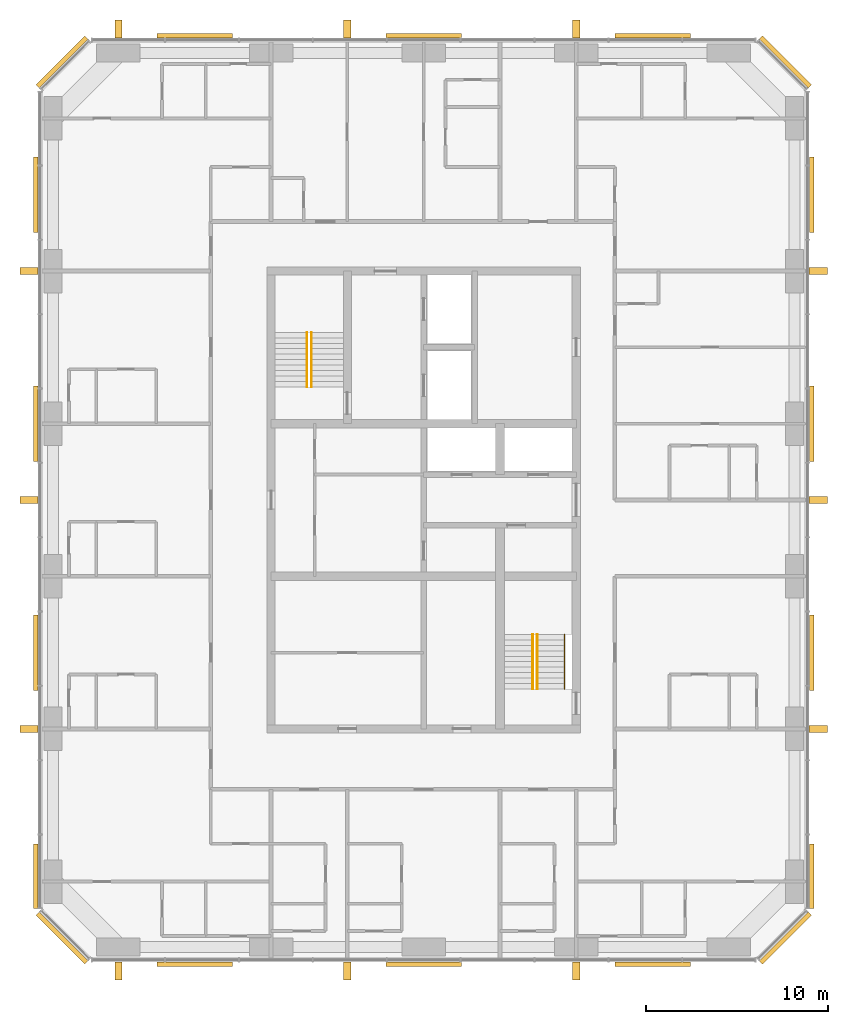
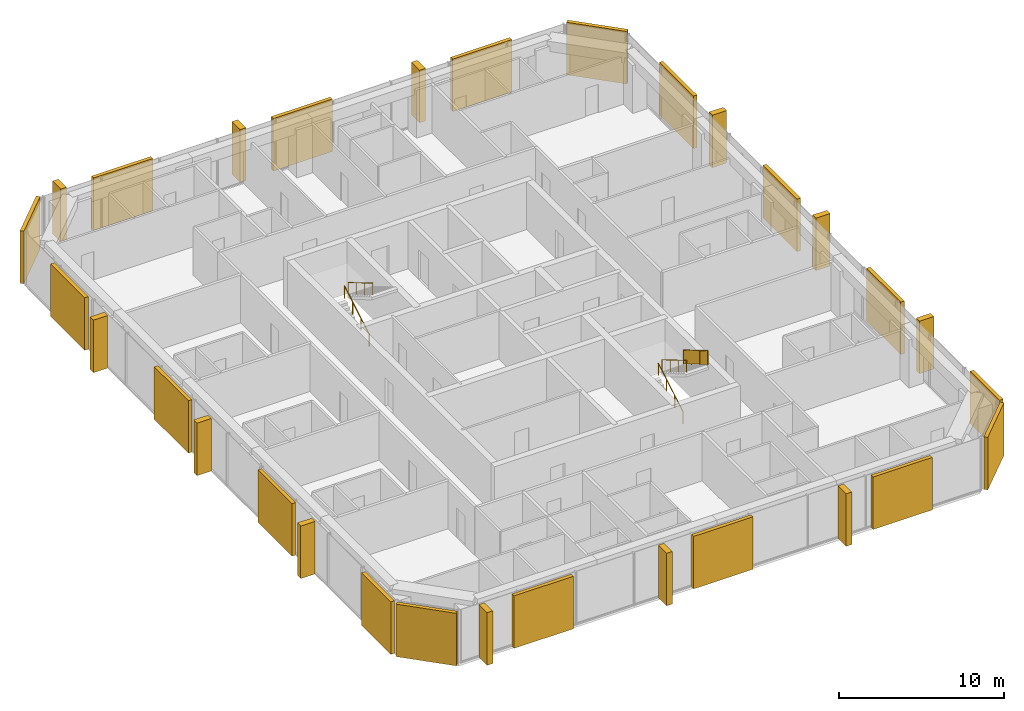
# One storey, part 12 of 12: 18 coverings, 12 shading devices, 5 railings.
"""IFC4 building model written with IfcOpenShell, lengths in metres."""

from ifc_helpers import new_model, si_unit, direction, frame, origin, origin_2d, place, context, subcontext, project, spatial, polyline, rectangle, circle, outline, extrude, material, layer, layer_set, type_object, element, save


model = new_model("IFC4")

# Units and contexts
model_context = context("Model", 3, precision=1e-05, world=origin(), true_north=direction((0.0, 1.0)))
body_context = subcontext(model_context, "Body", "Model", "MODEL_VIEW")
ifc_project = project(units=[si_unit("LENGTHUNIT", "METRE"), si_unit("AREAUNIT", "SQUARE_METRE"), si_unit("VOLUMEUNIT", "CUBIC_METRE"), si_unit("PLANEANGLEUNIT", "RADIAN"), si_unit("MASSUNIT", "GRAM", prefix="KILO")], contexts=[model_context])

# Site, building, storey
site_placement = place(None, origin())
site = spatial("IfcSite", under=ifc_project, at=site_placement, CompositionType="ELEMENT")
building_placement = place(site_placement, origin())
building = spatial("IfcBuilding", under=site, at=building_placement, Name="Dunama Terrace Hotel", CompositionType="ELEMENT")
storey_placement = place(building_placement, frame((0.0, 0.0, 245.10009765625)))
storey = spatial("IfcBuildingStorey", under=building, at=storey_placement, Name="L63", CompositionType="ELEMENT", Elevation=245.10009765625)

# Railings
ifc_material_1 = material(Name="Stainless steel and laminated glass guard", Category="steel")
railing_type_1 = type_object("IfcRailingType", Name="Guard 1100", PredefinedType="GUARDRAIL", material=ifc_material_1)
railing_1_placement = place(storey_placement, frame((41.35009765625, 22.0, 2.127197265625)))
element("IfcRailing", 1, at=railing_1_placement, inside=storey, type_object=railing_type_1, Name="Stair guard ST2 L63", PredefinedType="GUARDRAIL", context=body_context, shape_type="SweptSolid", body=[
    extrude(circle(Radius=0.02392578125, at=origin_2d()), frame((0.0, 0.0, 1.076171875), z_axis=(0.0, -0.86092931783, 0.508724591208), x_axis=(1.0, 0.0, 0.0)), (0.0, 0.0, 1.0), 3.484619140625),
    extrude(circle(Radius=0.02099609375, at=origin_2d()), origin(), (0.0, 0.0, 1.0), 1.052001953125),
    extrude(circle(Radius=0.02099609375, at=origin_2d()), frame((0.0, -1.0, 0.5908203125)), (0.0, 0.0, 1.0), 1.052001953125),
    extrude(circle(Radius=0.02099609375, at=origin_2d()), frame((0.0, -2.0, 1.181884765625)), (0.0, 0.0, 1.0), 1.052001953125),
    extrude(circle(Radius=0.02099609375, at=origin_2d()), frame((0.0, -3.0, 1.772705078125)), (0.0, 0.0, 1.0), 1.052001953125),
    extrude(outline(polyline([(0.0048828125, 0.052978515625), (0.9951171875, 0.63818359375), (0.9951171875, 1.6640625), (0.0048828125, 1.078857421875), (0.0048828125, 0.052978515625)])), frame((0.0087890625, 0.0, 0.0), z_axis=(-1.0, 0.0, 0.0), x_axis=(0.0, -1.0, 0.0)), (0.0, 0.0, 1.0), 0.017578125),
    extrude(outline(polyline([(0.0048828125, 0.052978515625), (0.9951171875, 0.63818359375), (0.9951171875, 1.6640625), (0.0048828125, 1.078857421875), (0.0048828125, 0.052978515625)])), frame((0.0087890625, -1.0, 0.5908203125), z_axis=(-1.0, 0.0, 0.0), x_axis=(0.0, -1.0, 0.0)), (0.0, 0.0, 1.0), 0.017578125),
    extrude(outline(polyline([(0.0048828125, 0.052978515625), (0.9951171875, 0.63818359375), (0.9951171875, 1.6640625), (0.0048828125, 1.078857421875), (0.0048828125, 0.052978515625)])), frame((0.0087890625, -2.0, 1.181884765625), z_axis=(-1.0, 0.0, 0.0), x_axis=(0.0, -1.0, 0.0)), (0.0, 0.0, 1.0), 0.017578125),
])
ifc_material_2 = material(Name="Stainless steel handrail", Category="steel")
railing_type_2 = type_object("IfcRailingType", Name="Stair handrail 900", PredefinedType="HANDRAIL", material=ifc_material_2)
railing_2_placement = place(storey_placement, frame((27.175048828125, 35.625, 0.17724609375)))
element("IfcRailing", 2, at=railing_2_placement, inside=storey, type_object=railing_type_2, Name="Handrail ST1 L63", PredefinedType="HANDRAIL", context=body_context, shape_type="SweptSolid", body=[
    extrude(circle(Radius=0.02392578125, at=origin_2d()), frame((0.0, 0.0, 0.8759765625), z_axis=(0.0, 0.86092931783, 0.508724591208), x_axis=(-1.0, 0.0, 0.0)), (0.0, 0.0, 1.0), 3.484619140625),
    extrude(circle(Radius=0.02099609375, at=origin_2d()), origin(), (0.0, 0.0, 1.0), 0.851806640625),
    extrude(circle(Radius=0.02099609375, at=origin_2d()), frame((0.0, 1.0, 0.5908203125)), (0.0, 0.0, 1.0), 0.851806640625),
    extrude(circle(Radius=0.02099609375, at=origin_2d()), frame((0.0, 2.0, 1.181884765625)), (0.0, 0.0, 1.0), 0.851806640625),
    extrude(circle(Radius=0.02099609375, at=origin_2d()), frame((0.0, 3.0, 1.772705078125)), (0.0, 0.0, 1.0), 0.851806640625),
])
railing_3_placement = place(storey_placement, frame((27.425048828125, 38.625, 2.127197265625)))
element("IfcRailing", 3, at=railing_3_placement, inside=storey, type_object=railing_type_2, Name="Handrail ST1 L63", PredefinedType="HANDRAIL", context=body_context, shape_type="SweptSolid", body=[
    extrude(circle(Radius=0.02392578125, at=origin_2d()), frame((0.0, 0.0, 0.8759765625), z_axis=(0.0, -0.86092931783, 0.508724591208), x_axis=(1.0, 0.0, 0.0)), (0.0, 0.0, 1.0), 3.484619140625),
    extrude(circle(Radius=0.02099609375, at=origin_2d()), origin(), (0.0, 0.0, 1.0), 0.851806640625),
    extrude(circle(Radius=0.02099609375, at=origin_2d()), frame((0.0, -1.0, 0.5908203125)), (0.0, 0.0, 1.0), 0.851806640625),
    extrude(circle(Radius=0.02099609375, at=origin_2d()), frame((0.0, -2.0, 1.181884765625)), (0.0, 0.0, 1.0), 0.851806640625),
    extrude(circle(Radius=0.02099609375, at=origin_2d()), frame((0.0, -3.0, 1.772705078125)), (0.0, 0.0, 1.0), 0.851806640625),
])
railing_4_placement = place(storey_placement, frame((39.60009765625, 19.0, 0.17724609375)))
element("IfcRailing", 4, at=railing_4_placement, inside=storey, type_object=railing_type_2, Name="Handrail ST2 L63", PredefinedType="HANDRAIL", context=body_context, shape_type="SweptSolid", body=[
    extrude(circle(Radius=0.02392578125, at=origin_2d()), frame((0.0, 0.0, 0.8759765625), z_axis=(0.0, 0.86092931783, 0.508724591208), x_axis=(-1.0, 0.0, 0.0)), (0.0, 0.0, 1.0), 3.484619140625),
    extrude(circle(Radius=0.02099609375, at=origin_2d()), origin(), (0.0, 0.0, 1.0), 0.851806640625),
    extrude(circle(Radius=0.02099609375, at=origin_2d()), frame((0.0, 1.0, 0.5908203125)), (0.0, 0.0, 1.0), 0.851806640625),
    extrude(circle(Radius=0.02099609375, at=origin_2d()), frame((0.0, 2.0, 1.181884765625)), (0.0, 0.0, 1.0), 0.851806640625),
    extrude(circle(Radius=0.02099609375, at=origin_2d()), frame((0.0, 3.0, 1.772705078125)), (0.0, 0.0, 1.0), 0.851806640625),
])
railing_5_placement = place(storey_placement, frame((39.85009765625, 22.0, 2.127197265625)))
element("IfcRailing", 5, at=railing_5_placement, inside=storey, type_object=railing_type_2, Name="Handrail ST2 L63", PredefinedType="HANDRAIL", context=body_context, shape_type="SweptSolid", body=[
    extrude(circle(Radius=0.02392578125, at=origin_2d()), frame((0.0, 0.0, 0.8759765625), z_axis=(0.0, -0.86092931783, 0.508724591208), x_axis=(1.0, 0.0, 0.0)), (0.0, 0.0, 1.0), 3.484619140625),
    extrude(circle(Radius=0.02099609375, at=origin_2d()), origin(), (0.0, 0.0, 1.0), 0.851806640625),
    extrude(circle(Radius=0.02099609375, at=origin_2d()), frame((0.0, -1.0, 0.5908203125)), (0.0, 0.0, 1.0), 0.851806640625),
    extrude(circle(Radius=0.02099609375, at=origin_2d()), frame((0.0, -2.0, 1.181884765625)), (0.0, 0.0, 1.0), 0.851806640625),
    extrude(circle(Radius=0.02099609375, at=origin_2d()), frame((0.0, -3.0, 1.772705078125)), (0.0, 0.0, 1.0), 0.851806640625),
])

# Coverings
ifc_material_3 = material(Name="Warm reconstituted stone panel", Category="masonry")
ifc_layer_1 = layer(ifc_material_3, 0.25)
ifc_layer_set_1 = layer_set([ifc_layer_1], Name="Stone diagonal panel")
covering_type = type_object("IfcCoveringType", Name="Stone diagonal panel", PredefinedType="CLADDING", material=ifc_layer_set_1)
for number, where, z_axis, x_axis, name in (
    (6, (21.0, 3.8369140625, 0.001953125), (0.0, 0.0, 1.0), (1.0, 0.0, 0.0), "Stone diagonal panel L63"),
    (7, (33.60009765625, 3.8369140625, 0.001953125), (0.0, 0.0, 1.0), (1.0, 0.0, 0.0), "Stone diagonal panel L63"),
    (8, (46.199951171875, 3.8369140625, 0.001953125), (0.0, 0.0, 1.0), (1.0, 0.0, 0.0), "Stone diagonal panel L63"),
):
    element("IfcCovering", number, at=place(storey_placement, frame(where, z_axis=z_axis, x_axis=x_axis)), inside=storey, type_object=covering_type, Name=name, PredefinedType="CLADDING", context=body_context, shape_type="SweptSolid", body=[
        extrude(rectangle(XDim=4.14990234375, YDim=0.25, at=origin_2d()), origin(), (0.0, 0.0, 1.0), 3.89599609375),
    ])
covering_1_placement = place(storey_placement, frame((53.507080078125, 5.29296875, 0.001953125), z_axis=(0.0, 0.0, 1.0), x_axis=(0.707106781187, 0.707106781187, 0.0)))
element("IfcCovering", 9, at=covering_1_placement, inside=storey, type_object=covering_type, Name="Stone diagonal panel L63", PredefinedType="CLADDING", context=body_context, shape_type="SweptSolid", body=[
    extrude(rectangle(XDim=3.808349609375, YDim=0.25, at=origin_2d()), origin(), (0.0, 0.0, 1.0), 3.89599609375),
])
covering_2_placement = place(storey_placement, frame((54.962890625, 8.68994140625, 0.001953125), z_axis=(0.0, 0.0, 1.0), x_axis=(0.0, 1.0, 0.0)))
element("IfcCovering", 10, at=covering_2_placement, inside=storey, type_object=covering_type, Name="Stone diagonal panel L63", PredefinedType="CLADDING", context=body_context, shape_type="SweptSolid", body=[
    extrude(rectangle(XDim=3.570068359375, YDim=0.25, at=origin_2d()), origin(), (0.0, 0.0, 1.0), 3.89599609375),
])
for number, where, z_axis, x_axis, name in (
    (11, (54.962890625, 21.0, 0.001953125), (0.0, 0.0, 1.0), (0.0, 1.0, 0.0), "Stone diagonal panel L63"),
    (12, (54.962890625, 33.60009765625, 0.001953125), (0.0, 0.0, 1.0), (0.0, 1.0, 0.0), "Stone diagonal panel L63"),
    (13, (54.962890625, 46.199951171875, 0.001953125), (0.0, 0.0, 1.0), (0.0, 1.0, 0.0), "Stone diagonal panel L63"),
):
    element("IfcCovering", number, at=place(storey_placement, frame(where, z_axis=z_axis, x_axis=x_axis)), inside=storey, type_object=covering_type, Name=name, PredefinedType="CLADDING", context=body_context, shape_type="SweptSolid", body=[
        extrude(rectangle(XDim=4.14990234375, YDim=0.25, at=origin_2d()), origin(), (0.0, 0.0, 1.0), 3.89599609375),
    ])
covering_3_placement = place(storey_placement, frame((53.507080078125, 53.507080078125, 0.001953125), z_axis=(0.0, 0.0, 1.0), x_axis=(-0.707106781187, 0.707106781187, 0.0)))
element("IfcCovering", 14, at=covering_3_placement, inside=storey, type_object=covering_type, Name="Stone diagonal panel L63", PredefinedType="CLADDING", context=body_context, shape_type="SweptSolid", body=[
    extrude(rectangle(XDim=3.808349609375, YDim=0.25, at=origin_2d()), origin(), (0.0, 0.0, 1.0), 3.89599609375),
])
for number, where, z_axis, x_axis, name in (
    (15, (46.199951171875, 54.962890625, 0.001953125), (0.0, 0.0, 1.0), (-1.0, 0.0, 0.0), "Stone diagonal panel L63"),
    (16, (33.60009765625, 54.962890625, 0.001953125), (0.0, 0.0, 1.0), (-1.0, 0.0, 0.0), "Stone diagonal panel L63"),
    (17, (21.0, 54.962890625, 0.001953125), (0.0, 0.0, 1.0), (-1.0, 0.0, 0.0), "Stone diagonal panel L63"),
):
    element("IfcCovering", number, at=place(storey_placement, frame(where, z_axis=z_axis, x_axis=x_axis)), inside=storey, type_object=covering_type, Name=name, PredefinedType="CLADDING", context=body_context, shape_type="SweptSolid", body=[
        extrude(rectangle(XDim=4.14990234375, YDim=0.25, at=origin_2d()), origin(), (0.0, 0.0, 1.0), 3.89599609375),
    ])
covering_4_placement = place(storey_placement, frame((13.693115234375, 53.507080078125, 0.001953125), z_axis=(0.0, 0.0, 1.0), x_axis=(-0.707106781187, -0.707106781187, 0.0)))
element("IfcCovering", 18, at=covering_4_placement, inside=storey, type_object=covering_type, Name="Stone diagonal panel L63", PredefinedType="CLADDING", context=body_context, shape_type="SweptSolid", body=[
    extrude(rectangle(XDim=3.808349609375, YDim=0.25, at=origin_2d()), origin(), (0.0, 0.0, 1.0), 3.89599609375),
])
for number, where, z_axis, x_axis, name in (
    (19, (12.237060546875, 46.199951171875, 0.001953125), (0.0, 0.0, 1.0), (0.0, -1.0, 0.0), "Stone diagonal panel L63"),
    (20, (12.237060546875, 33.60009765625, 0.001953125), (0.0, 0.0, 1.0), (0.0, -1.0, 0.0), "Stone diagonal panel L63"),
    (21, (12.237060546875, 21.0, 0.001953125), (0.0, 0.0, 1.0), (0.0, -1.0, 0.0), "Stone diagonal panel L63"),
):
    element("IfcCovering", number, at=place(storey_placement, frame(where, z_axis=z_axis, x_axis=x_axis)), inside=storey, type_object=covering_type, Name=name, PredefinedType="CLADDING", context=body_context, shape_type="SweptSolid", body=[
        extrude(rectangle(XDim=4.14990234375, YDim=0.25, at=origin_2d()), origin(), (0.0, 0.0, 1.0), 3.89599609375),
    ])
covering_5_placement = place(storey_placement, frame((12.237060546875, 8.68994140625, 0.001953125), z_axis=(0.0, 0.0, 1.0), x_axis=(0.0, -1.0, 0.0)))
element("IfcCovering", 22, at=covering_5_placement, inside=storey, type_object=covering_type, Name="Stone diagonal panel L63", PredefinedType="CLADDING", context=body_context, shape_type="SweptSolid", body=[
    extrude(rectangle(XDim=3.570068359375, YDim=0.25, at=origin_2d()), origin(), (0.0, 0.0, 1.0), 3.89599609375),
])
covering_6_placement = place(storey_placement, frame((13.693115234375, 5.29296875, 0.001953125), z_axis=(0.0, 0.0, 1.0), x_axis=(0.707106781187, -0.707106781187, 0.0)))
element("IfcCovering", 23, at=covering_6_placement, inside=storey, type_object=covering_type, Name="Stone diagonal panel L63", PredefinedType="CLADDING", context=body_context, shape_type="SweptSolid", body=[
    extrude(rectangle(XDim=3.808349609375, YDim=0.25, at=origin_2d()), origin(), (0.0, 0.0, 1.0), 3.89599609375),
])

# Shading devices
ifc_material_4 = material(Name="Warm reconstituted stone fin", Category="masonry")
ifc_layer_2 = layer(ifc_material_4, 0.39990234375)
ifc_layer_set_2 = layer_set([ifc_layer_2], Name="Warm stone fin 400x1000")
shading_device_type = type_object("IfcShadingDeviceType", Name="Warm stone fin 400x1000", PredefinedType="USERDEFINED", material=ifc_layer_set_2)
for number, where, z_axis, x_axis, name in (
    (24, (16.800048828125, 3.48193359375, 0.0), (0.0, 0.0, 1.0), (1.0, 0.0, 0.0), "Stone fin"),
    (25, (29.39990234375, 3.48193359375, 0.0), (0.0, 0.0, 1.0), (1.0, 0.0, 0.0), "Stone fin"),
    (26, (42.0, 3.48193359375, 0.0), (0.0, 0.0, 1.0), (1.0, 0.0, 0.0), "Stone fin"),
    (27, (55.318115234375, 16.800048828125, 0.0), (0.0, 0.0, 1.0), (0.0, 1.0, 0.0), "Stone fin"),
    (28, (55.318115234375, 29.39990234375, 0.0), (0.0, 0.0, 1.0), (0.0, 1.0, 0.0), "Stone fin"),
    (29, (55.318115234375, 42.0, 0.0), (0.0, 0.0, 1.0), (0.0, 1.0, 0.0), "Stone fin"),
    (30, (42.0, 55.318115234375, 0.0), (0.0, 0.0, 1.0), (-1.0, 0.0, 0.0), "Stone fin"),
    (31, (29.39990234375, 55.318115234375, 0.0), (0.0, 0.0, 1.0), (-1.0, 0.0, 0.0), "Stone fin"),
    (32, (16.800048828125, 55.318115234375, 0.0), (0.0, 0.0, 1.0), (-1.0, 0.0, 0.0), "Stone fin"),
    (33, (11.882080078125, 42.0, 0.0), (0.0, 0.0, 1.0), (0.0, -1.0, 0.0), "Stone fin"),
    (34, (11.882080078125, 29.39990234375, 0.0), (0.0, 0.0, 1.0), (0.0, -1.0, 0.0), "Stone fin"),
    (35, (11.882080078125, 16.800048828125, 0.0), (0.0, 0.0, 1.0), (0.0, -1.0, 0.0), "Stone fin"),
):
    element("IfcShadingDevice", number, at=place(storey_placement, frame(where, z_axis=z_axis, x_axis=x_axis)), inside=storey, type_object=shading_device_type, Name=name, ObjectType="FIN", PredefinedType="USERDEFINED", context=body_context, shape_type="SweptSolid", body=[
        extrude(rectangle(XDim=0.39990234375, YDim=1.0, at=origin_2d()), origin(), (0.0, 0.0, 1.0), 3.89990234375),
    ])

save(model, "model.ifc")
